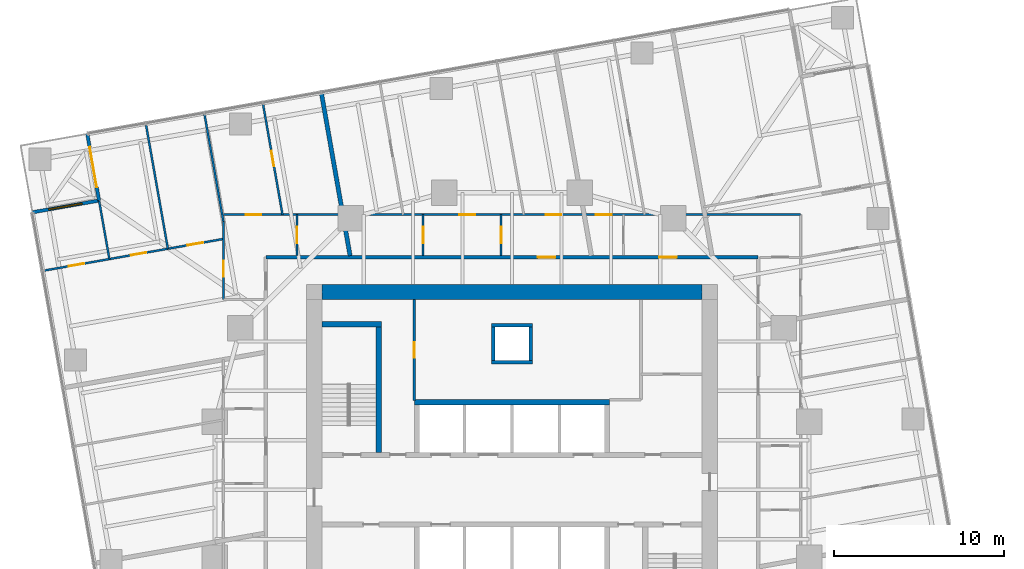
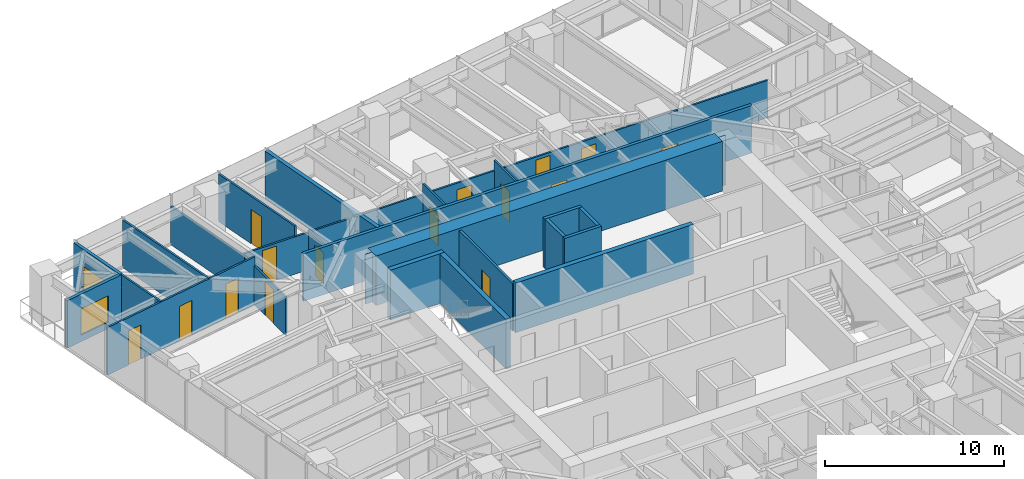
# One storey, part 12 of 14: 23 walls, 16 doors, 1 window, 17 openings.
"""IFC4 building model written with IfcOpenShell, lengths in metres."""

from ifc_helpers import new_model, si_unit, direction, frame, frame_2d, origin, place, context, subcontext, project, spatial, polyline, rectangle, outline, extrude, material, layer, layer_set, type_object, element, fill, save


model = new_model("IFC4")

# Units and contexts
model_context = context("Model", 3, precision=1e-05, world=origin(), true_north=direction((0.0, 1.0)))
body_context = subcontext(model_context, "Body", "Model", "MODEL_VIEW")
ifc_project = project(units=[si_unit("LENGTHUNIT", "METRE"), si_unit("AREAUNIT", "SQUARE_METRE"), si_unit("VOLUMEUNIT", "CUBIC_METRE"), si_unit("PLANEANGLEUNIT", "RADIAN"), si_unit("MASSUNIT", "GRAM", prefix="KILO")], contexts=[model_context])

# Site, building, storey
site_placement = place(None, origin())
site = spatial("IfcSite", under=ifc_project, at=site_placement, CompositionType="ELEMENT")
building_placement = place(site_placement, origin())
building = spatial("IfcBuilding", under=site, at=building_placement, Name="Torsade Residences", CompositionType="ELEMENT")
storey_placement = place(building_placement, frame((0.0, 0.0, 89.60009765625)))
storey = spatial("IfcBuildingStorey", under=building, at=storey_placement, Name="L24", CompositionType="ELEMENT", Elevation=89.60009765625)

# Walls
ifc_material_1 = material(Name="Concrete 80 MPa", Category="concrete")
ifc_layer_1 = layer(ifc_material_1, 0.300048828125)
ifc_layer_set_1 = layer_set([ifc_layer_1], Name="Concrete 80 MPa")
wall_type_1 = type_object("IfcWallType", Name="CORE INTERNAL WALL 300", PredefinedType="SHEAR", material=ifc_layer_set_1)
wall_1_placement = place(storey_placement, frame((34.25, 35.14990234375, 0.0), z_axis=(0.0, 0.0, 1.0), x_axis=(1.0, 0.0, 0.0)))
element("IfcWall", 1, at=wall_1_placement, inside=storey, type_object=wall_type_1, Name="Core wall BN L24", PredefinedType="SHEAR", context=body_context, shape_type="SweptSolid", body=[
    extrude(rectangle(XDim=11.5, YDim=0.300048828125, at=frame_2d((5.75, 0.0))), origin(), (0.0, 0.0, 1.0), 3.39990234375),
])
wall_2_placement = place(storey_placement, frame((32.14990234375, 32.199951171875, 0.0), z_axis=(0.0, 0.0, 1.0), x_axis=(0.0, 1.0, 0.0)))
element("IfcWall", 2, at=wall_2_placement, inside=storey, type_object=wall_type_1, Name="Core wall ST1E L24", PredefinedType="SHEAR", context=body_context, shape_type="SweptSolid", body=[
    extrude(rectangle(XDim=7.699951171875, YDim=0.300048828125, at=frame_2d((3.85009765625, 0.0))), origin(), (0.0, 0.0, 1.0), 3.39990234375),
])
wall_3_placement = place(storey_placement, frame((28.800048828125, 39.75, 0.0), z_axis=(0.0, 0.0, 1.0), x_axis=(1.0, 0.0, 0.0)))
element("IfcWall", 3, at=wall_3_placement, inside=storey, type_object=wall_type_1, Name="Core wall ST1N L24", PredefinedType="SHEAR", context=body_context, shape_type="SweptSolid", body=[
    extrude(rectangle(XDim=3.5, YDim=0.300048828125, at=frame_2d((1.75, 0.0))), origin(), (0.0, 0.0, 1.0), 3.39990234375),
])
ifc_material_2 = material(Name="Concrete 80 MPa", Category="concrete")
ifc_layer_2 = layer(ifc_material_2, 0.89990234375)
ifc_layer_set_2 = layer_set([ifc_layer_2], Name="Concrete 80 MPa")
wall_type_2 = type_object("IfcWallType", Name="CORE WALL 900", PredefinedType="SHEAR", material=ifc_layer_set_2)
wall_4_placement = place(storey_placement, frame((28.800048828125, 41.64990234375, 0.0), z_axis=(0.0, 0.0, 1.0), x_axis=(1.0, 0.0, 0.0)))
element("IfcWall", 4, at=wall_4_placement, inside=storey, type_object=wall_type_2, Name="Core wall N L24", PredefinedType="SHEAR", context=body_context, shape_type="SweptSolid", body=[
    extrude(outline(polyline([(0.0, -0.449951171875), (22.39990234375, -0.449951171875), (22.39990234375, -0.02490234375), (22.849853515625, -0.02490234375), (22.849853515625, 0.02490234375), (22.39990234375, 0.02490234375), (22.39990234375, 0.449951171875), (0.0, 0.449951171875), (0.0, 0.02490234375), (-0.449951171875, 0.02490234375), (-0.449951171875, -0.02490234375), (0.0, -0.02490234375), (0.0, -0.449951171875)])), origin(), (0.0, 0.0, 1.0), 3.39990234375),
])

# Wall, openings, doors
ifc_material_3 = material(Name="Plasterboard on steel stud", Category="steel")
ifc_layer_3 = layer(ifc_material_3, 0.199951171875)
ifc_layer_set_3 = layer_set([ifc_layer_3], Name="Plasterboard on steel stud")
wall_type_3 = type_object("IfcWallType", Name="CORRIDOR WALL 200", PredefinedType="PARTITIONING", material=ifc_layer_set_3)
wall_5_placement = place(storey_placement, frame((54.5, 43.699951171875, 0.0), z_axis=(0.0, 0.0, 1.0), x_axis=(-1.0, 0.0, 0.0)))
wall_5 = element("IfcWall", 5, at=wall_5_placement, inside=storey, type_object=wall_type_3, Name="Corridor wall L24", PredefinedType="PARTITIONING", context=body_context, shape_type="SweptSolid", body=[
    extrude(rectangle(XDim=29.0, YDim=0.199951171875, at=frame_2d((14.5, 0.0))), origin(), (0.0, 0.0, 1.0), 3.25),
])
opening_1_placement = place(wall_5_placement, frame((11.95068359375, 0.0, 0.0)))
opening_1 = element("IfcOpeningElement", 6, at=opening_1_placement, cuts=wall_5, Name="Opening D01", PredefinedType="OPENING", context=body_context, shape_type="SweptSolid", body=[
    extrude(rectangle(XDim=1.02001953125, YDim=2.340087890625, at=frame_2d((0.510009765625, 1.169921875))), frame((0.0, 0.10986328125, 0.0), z_axis=(0.0, -1.0, 0.0), x_axis=(1.0, 0.0, 0.0)), (0.0, 0.0, 1.0), 0.219970703125),
])
opening_2_placement = place(wall_5_placement, frame((4.79541015625, 0.0, 0.0)))
opening_2 = element("IfcOpeningElement", 7, at=opening_2_placement, cuts=wall_5, Name="Opening D01", PredefinedType="OPENING", context=body_context, shape_type="SweptSolid", body=[
    extrude(rectangle(XDim=1.02001953125, YDim=2.340087890625, at=frame_2d((0.510009765625, 1.169921875))), frame((0.0, 0.10986328125, 0.0), z_axis=(0.0, -1.0, 0.0), x_axis=(1.0, 0.0, 0.0)), (0.0, 0.0, 1.0), 0.219970703125),
])
ifc_material_4 = material(Name="Solid-core timber fire door", Category="wood")
door_type_1 = type_object("IfcDoorType", Name="APARTMENT ENTRY DOOR 1020x2340", OperationType="NOTDEFINED", PredefinedType="DOOR", material=ifc_material_4)
door_1_placement = place(opening_1_placement, origin())
door_1 = element("IfcDoor", 8, at=door_1_placement, inside=storey, type_object=door_type_1, Name="Door Residential corridor to Kitchen and dining", OperationType="SINGLE_SWING_LEFT", OverallHeight=2.340087890625, OverallWidth=1.02001953125, PredefinedType="DOOR", context=body_context, shape_type="SweptSolid", body=[
    extrude(rectangle(XDim=1.02001953125, YDim=2.340087890625, at=frame_2d((0.510009765625, 1.169921875))), frame((0.0, 0.02490234375, 0.0), z_axis=(0.0, -1.0, 0.0), x_axis=(1.0, 0.0, 0.0)), (0.0, 0.0, 1.0), 0.050048828125),
])
fill(opening_1, door_1)
door_2_placement = place(opening_2_placement, origin())
door_2 = element("IfcDoor", 9, at=door_2_placement, inside=storey, type_object=door_type_1, Name="Door Residential corridor to Kitchen and dining", OperationType="SINGLE_SWING_RIGHT", OverallHeight=2.340087890625, OverallWidth=1.02001953125, PredefinedType="DOOR", context=body_context, shape_type="SweptSolid", body=[
    extrude(rectangle(XDim=1.02001953125, YDim=2.340087890625, at=frame_2d((0.510009765625, 1.169921875))), frame((0.0, 0.02490234375, 0.0), z_axis=(0.0, -1.0, 0.0), x_axis=(1.0, 0.0, 0.0)), (0.0, 0.0, 1.0), 0.050048828125),
])
fill(opening_2, door_2)

ifc_material_5 = material(Name="Plasterboard on steel stud", Category="steel")
ifc_layer_4 = layer(ifc_material_5, 0.1201171875)
ifc_layer_set_4 = layer_set([ifc_layer_4], Name="Plasterboard on steel stud")
wall_type_4 = type_object("IfcWallType", Name="PARTITION 120", PredefinedType="PARTITIONING", material=ifc_layer_set_4)
wall_6_placement = place(storey_placement, frame((23.0, 46.199951171875, 0.0), z_axis=(0.0, 0.0, 1.0), x_axis=(1.0, 0.0, 0.0)))
wall_6 = element("IfcWall", 10, at=wall_6_placement, inside=storey, type_object=wall_type_4, Name="Partition L24", PredefinedType="PARTITIONING", context=body_context, shape_type="SweptSolid", body=[
    extrude(rectangle(XDim=34.0, YDim=0.1201171875, at=frame_2d((17.0, 0.0))), origin(), (0.0, 0.0, 1.0), 2.5498046875),
])
opening_3_placement = place(wall_6_placement, frame((18.989013671875, 0.0, 0.0)))
opening_3 = element("IfcOpeningElement", 11, at=opening_3_placement, cuts=wall_6, Name="Opening D02", PredefinedType="OPENING", context=body_context, shape_type="SweptSolid", body=[
    extrude(rectangle(XDim=0.919921875, YDim=2.340087890625, at=frame_2d((0.4599609375, 1.169921875))), frame((0.0, 0.070068359375, 0.0), z_axis=(0.0, -1.0, 0.0), x_axis=(1.0, 0.0, 0.0)), (0.0, 0.0, 1.0), 0.14013671875),
])
opening_4_placement = place(wall_6_placement, frame((1.30615234375, 0.0, 0.0)))
opening_4 = element("IfcOpeningElement", 12, at=opening_4_placement, cuts=wall_6, Name="Opening D02", PredefinedType="OPENING", context=body_context, shape_type="SweptSolid", body=[
    extrude(rectangle(XDim=0.919921875, YDim=2.340087890625, at=frame_2d((0.4599609375, 1.169921875))), frame((0.0, 0.070068359375, 0.0), z_axis=(0.0, -1.0, 0.0), x_axis=(1.0, 0.0, 0.0)), (0.0, 0.0, 1.0), 0.14013671875),
])
opening_5_placement = place(wall_6_placement, frame((13.883544921875, 0.0, 0.0)))
opening_5 = element("IfcOpeningElement", 13, at=opening_5_placement, cuts=wall_6, Name="Opening D05", PredefinedType="OPENING", context=body_context, shape_type="SweptSolid", body=[
    extrude(rectangle(XDim=0.9599609375, YDim=2.10009765625, at=frame_2d((0.47998046875, 1.050048828125))), frame((0.0, 0.070068359375, 0.0), z_axis=(0.0, -1.0, 0.0), x_axis=(1.0, 0.0, 0.0)), (0.0, 0.0, 1.0), 0.14013671875),
])
opening_6_placement = place(wall_6_placement, frame((21.929443359375, 0.0, 0.0)))
opening_6 = element("IfcOpeningElement", 14, at=opening_6_placement, cuts=wall_6, Name="Opening D05", PredefinedType="OPENING", context=body_context, shape_type="SweptSolid", body=[
    extrude(rectangle(XDim=0.9599609375, YDim=2.10009765625, at=frame_2d((0.47998046875, 1.050048828125))), frame((0.0, 0.070068359375, 0.0), z_axis=(0.0, -1.0, 0.0), x_axis=(1.0, 0.0, 0.0)), (0.0, 0.0, 1.0), 0.14013671875),
])
ifc_material_6 = material(Name="Hollow-core timber door in a steel cavity frame", Category="steel")
door_type_2 = type_object("IfcDoorType", Name="BATHROOM CAVITY SLIDING DOOR 960", OperationType="SLIDING_TO_LEFT", PredefinedType="DOOR", material=ifc_material_6)
door_3_placement = place(opening_5_placement, origin())
door_3 = element("IfcDoor", 15, at=door_3_placement, inside=storey, type_object=door_type_2, Name="Door Bathroom to Living room", OperationType="SLIDING_TO_LEFT", OverallHeight=2.10009765625, OverallWidth=0.9599609375, PredefinedType="DOOR", context=body_context, shape_type="SweptSolid", body=[
    extrude(rectangle(XDim=0.9599609375, YDim=2.10009765625, at=frame_2d((0.47998046875, 1.050048828125))), frame((0.0, 0.02490234375, 0.0), z_axis=(0.0, -1.0, 0.0), x_axis=(1.0, 0.0, 0.0)), (0.0, 0.0, 1.0), 0.050048828125),
])
fill(opening_5, door_3)
door_4_placement = place(opening_6_placement, origin())
door_4 = element("IfcDoor", 16, at=door_4_placement, inside=storey, type_object=door_type_2, Name="Door Bathroom to Bedroom 1", OperationType="SLIDING_TO_LEFT", OverallHeight=2.10009765625, OverallWidth=0.9599609375, PredefinedType="DOOR", context=body_context, shape_type="SweptSolid", body=[
    extrude(rectangle(XDim=0.9599609375, YDim=2.10009765625, at=frame_2d((0.47998046875, 1.050048828125))), frame((0.0, 0.02490234375, 0.0), z_axis=(0.0, -1.0, 0.0), x_axis=(1.0, 0.0, 0.0)), (0.0, 0.0, 1.0), 0.050048828125),
])
fill(opening_6, door_4)
ifc_material_7 = material(Name="Hollow-core timber door", Category="wood")
door_type_3 = type_object("IfcDoorType", Name="INTERNAL DOOR 920x2340", OperationType="NOTDEFINED", PredefinedType="DOOR", material=ifc_material_7)
door_5_placement = place(opening_3_placement, origin())
door_5 = element("IfcDoor", 17, at=door_5_placement, inside=storey, type_object=door_type_3, Name="Door Kitchen and dining to Bedroom 1", OperationType="SINGLE_SWING_RIGHT", OverallHeight=2.340087890625, OverallWidth=0.919921875, PredefinedType="DOOR", context=body_context, shape_type="SweptSolid", body=[
    extrude(rectangle(XDim=0.919921875, YDim=2.340087890625, at=frame_2d((0.4599609375, 1.169921875))), frame((0.0, 0.02490234375, 0.0), z_axis=(0.0, -1.0, 0.0), x_axis=(1.0, 0.0, 0.0)), (0.0, 0.0, 1.0), 0.050048828125),
])
fill(opening_3, door_5)
door_6_placement = place(opening_4_placement, origin())
door_6 = element("IfcDoor", 18, at=door_6_placement, inside=storey, type_object=door_type_3, Name="Door Kitchen and dining to Family room", OperationType="SINGLE_SWING_RIGHT", OverallHeight=2.340087890625, OverallWidth=0.919921875, PredefinedType="DOOR", context=body_context, shape_type="SweptSolid", body=[
    extrude(rectangle(XDim=0.919921875, YDim=2.340087890625, at=frame_2d((0.4599609375, 1.169921875))), frame((0.0, 0.02490234375, 0.0), z_axis=(0.0, -1.0, 0.0), x_axis=(1.0, 0.0, 0.0)), (0.0, 0.0, 1.0), 0.050048828125),
])
fill(opening_4, door_6)

# Wall, opening, door
wall_7_placement = place(storey_placement, frame((39.36474609375, 43.800048828125, 0.0), z_axis=(0.0, 0.0, 1.0), x_axis=(0.0, 1.0, 0.0)))
wall_7 = element("IfcWall", 19, at=wall_7_placement, inside=storey, type_object=wall_type_4, Name="Partition L24", PredefinedType="PARTITIONING", context=body_context, shape_type="SweptSolid", body=[
    extrude(rectangle(XDim=2.39990234375, YDim=0.1201171875, at=frame_2d((1.199951171875, 0.0))), origin(), (0.0, 0.0, 1.0), 3.25),
])
opening_7_placement = place(wall_7_placement, frame((0.719970703125, 0.0, 0.0)))
opening_7 = element("IfcOpeningElement", 20, at=opening_7_placement, cuts=wall_7, Name="Opening D05", PredefinedType="OPENING", context=body_context, shape_type="SweptSolid", body=[
    extrude(rectangle(XDim=0.9599609375, YDim=2.10009765625, at=frame_2d((0.47998046875, 1.050048828125))), frame((0.0, 0.070068359375, 0.0), z_axis=(0.0, -1.0, 0.0), x_axis=(1.0, 0.0, 0.0)), (0.0, 0.0, 1.0), 0.14013671875),
])
door_7_placement = place(opening_7_placement, origin())
door_7 = element("IfcDoor", 21, at=door_7_placement, inside=storey, type_object=door_type_2, Name="Door Kitchen and dining to Bathroom", OperationType="SLIDING_TO_LEFT", OverallHeight=2.10009765625, OverallWidth=0.9599609375, PredefinedType="DOOR", context=body_context, shape_type="SweptSolid", body=[
    extrude(rectangle(XDim=0.9599609375, YDim=2.10009765625, at=frame_2d((0.47998046875, 1.050048828125))), frame((0.0, 0.02490234375, 0.0), z_axis=(0.0, -1.0, 0.0), x_axis=(1.0, 0.0, 0.0)), (0.0, 0.0, 1.0), 0.050048828125),
])
fill(opening_7, door_7)

wall_8_placement = place(storey_placement, frame((34.7626953125, 43.800048828125, 0.0), z_axis=(0.0, 0.0, 1.0), x_axis=(0.0, 1.0, 0.0)))
wall_8 = element("IfcWall", 22, at=wall_8_placement, inside=storey, type_object=wall_type_4, Name="Partition L24", PredefinedType="PARTITIONING", context=body_context, shape_type="SweptSolid", body=[
    extrude(rectangle(XDim=2.39990234375, YDim=0.1201171875, at=frame_2d((1.199951171875, 0.0))), origin(), (0.0, 0.0, 1.0), 3.25),
])
opening_8_placement = place(wall_8_placement, frame((0.719970703125, 0.0, 0.0)))
opening_8 = element("IfcOpeningElement", 23, at=opening_8_placement, cuts=wall_8, Name="Opening D05", PredefinedType="OPENING", context=body_context, shape_type="SweptSolid", body=[
    extrude(rectangle(XDim=0.9599609375, YDim=2.10009765625, at=frame_2d((0.47998046875, 1.050048828125))), frame((0.0, 0.070068359375, 0.0), z_axis=(0.0, -1.0, 0.0), x_axis=(1.0, 0.0, 0.0)), (0.0, 0.0, 1.0), 0.14013671875),
])
door_8_placement = place(opening_8_placement, origin())
door_8 = element("IfcDoor", 24, at=door_8_placement, inside=storey, type_object=door_type_2, Name="Door Bathroom to Ensuite", OperationType="SLIDING_TO_LEFT", OverallHeight=2.10009765625, OverallWidth=0.9599609375, PredefinedType="DOOR", context=body_context, shape_type="SweptSolid", body=[
    extrude(rectangle(XDim=0.9599609375, YDim=2.10009765625, at=frame_2d((0.47998046875, 1.050048828125))), frame((0.0, 0.02490234375, 0.0), z_axis=(0.0, -1.0, 0.0), x_axis=(1.0, 0.0, 0.0)), (0.0, 0.0, 1.0), 0.050048828125),
])
fill(opening_8, door_8)

wall_9_placement = place(storey_placement, frame((27.334716796875, 46.199951171875, 0.0), z_axis=(0.0, 0.0, 1.0), x_axis=(0.0, -1.0, 0.0)))
wall_9 = element("IfcWall", 25, at=wall_9_placement, inside=storey, type_object=wall_type_4, Name="Partition L24", PredefinedType="PARTITIONING", context=body_context, shape_type="SweptSolid", body=[
    extrude(rectangle(XDim=2.39990234375, YDim=0.1201171875, at=frame_2d((1.199951171875, 0.0))), origin(), (0.0, 0.0, 1.0), 2.721923828125),
])
opening_9_placement = place(wall_9_placement, frame((0.719970703125, 0.0, 0.0)))
opening_9 = element("IfcOpeningElement", 26, at=opening_9_placement, cuts=wall_9, Name="Opening D05", PredefinedType="OPENING", context=body_context, shape_type="SweptSolid", body=[
    extrude(rectangle(XDim=0.9599609375, YDim=2.10009765625, at=frame_2d((0.47998046875, 1.050048828125))), frame((0.0, 0.070068359375, 0.0), z_axis=(0.0, -1.0, 0.0), x_axis=(1.0, 0.0, 0.0)), (0.0, 0.0, 1.0), 0.14013671875),
])
door_9_placement = place(opening_9_placement, origin())
door_9 = element("IfcDoor", 27, at=door_9_placement, inside=storey, type_object=door_type_2, Name="Door Kitchen and dining to Ensuite", OperationType="SLIDING_TO_LEFT", OverallHeight=2.10009765625, OverallWidth=0.9599609375, PredefinedType="DOOR", context=body_context, shape_type="SweptSolid", body=[
    extrude(rectangle(XDim=0.9599609375, YDim=2.10009765625, at=frame_2d((0.47998046875, 1.050048828125))), frame((0.0, 0.02490234375, 0.0), z_axis=(0.0, -1.0, 0.0), x_axis=(1.0, 0.0, 0.0)), (0.0, 0.0, 1.0), 0.050048828125),
])
fill(opening_9, door_9)

wall_10_placement = place(storey_placement, frame((23.0, 41.207763671875, 0.0), z_axis=(0.0, 0.0, 1.0), x_axis=(0.0, 1.0, 0.0)))
wall_10 = element("IfcWall", 28, at=wall_10_placement, inside=storey, type_object=wall_type_4, Name="Partition L24", PredefinedType="PARTITIONING", context=body_context, shape_type="SweptSolid", body=[
    extrude(rectangle(XDim=4.581298828125, YDim=0.1201171875, at=frame_2d((2.29052734375, 0.0))), origin(), (0.0, 0.0, 1.0), 2.637939453125),
])
opening_10_placement = place(wall_10_placement, frame((1.34765625, 0.0, 0.0)))
opening_10 = element("IfcOpeningElement", 29, at=opening_10_placement, cuts=wall_10, Name="Opening D02", PredefinedType="OPENING", context=body_context, shape_type="SweptSolid", body=[
    extrude(rectangle(XDim=0.919921875, YDim=2.340087890625, at=frame_2d((0.4599609375, 1.169921875))), frame((0.0, 0.070068359375, 0.0), z_axis=(0.0, -1.0, 0.0), x_axis=(1.0, 0.0, 0.0)), (0.0, 0.0, 1.0), 0.14013671875),
])
door_10_placement = place(opening_10_placement, origin())
door_10 = element("IfcDoor", 30, at=door_10_placement, inside=storey, type_object=door_type_3, Name="Door Kitchen and dining to Living room", OperationType="SINGLE_SWING_RIGHT", OverallHeight=2.340087890625, OverallWidth=0.919921875, PredefinedType="DOOR", context=body_context, shape_type="SweptSolid", body=[
    extrude(rectangle(XDim=0.919921875, YDim=2.340087890625, at=frame_2d((0.4599609375, 1.169921875))), frame((0.0, 0.02490234375, 0.0), z_axis=(0.0, -1.0, 0.0), x_axis=(1.0, 0.0, 0.0)), (0.0, 0.0, 1.0), 0.050048828125),
])
fill(opening_10, door_10)

# Wall, openings, doors
wall_11_placement = place(storey_placement, frame((12.38037109375, 42.89990234375, 0.0), z_axis=(0.0, 0.0, 1.0), x_axis=(0.984807253583, 0.173651010046, 0.0)))
wall_11 = element("IfcWall", 31, at=wall_11_placement, inside=storey, type_object=wall_type_4, Name="Partition L24", PredefinedType="PARTITIONING", context=body_context, shape_type="SweptSolid", body=[
    extrude(rectangle(XDim=10.783447265625, YDim=0.1201171875, at=frame_2d((5.3916015625, 0.0))), origin(), (0.0, 0.0, 1.0), 3.25),
])
opening_11_placement = place(wall_11_placement, frame((1.525146484375, 0.0, 0.0)))
opening_11 = element("IfcOpeningElement", 32, at=opening_11_placement, cuts=wall_11, Name="Opening D02", PredefinedType="OPENING", context=body_context, shape_type="SweptSolid", body=[
    extrude(rectangle(XDim=0.919921875, YDim=2.340087890625, at=frame_2d((0.4599609375, 1.169921875))), frame((0.0, 0.070068359375, 0.0), z_axis=(0.0, -1.0, 0.0), x_axis=(1.0, 0.0, 0.0)), (0.0, 0.0, 1.0), 0.14013671875),
])
opening_12_placement = place(wall_11_placement, frame((5.25, 0.0, 0.0)))
opening_12 = element("IfcOpeningElement", 33, at=opening_12_placement, cuts=wall_11, Name="Opening D02", PredefinedType="OPENING", context=body_context, shape_type="SweptSolid", body=[
    extrude(rectangle(XDim=0.919921875, YDim=2.340087890625, at=frame_2d((0.4599609375, 1.169921875))), frame((0.0, 0.070068359375, 0.0), z_axis=(0.0, -1.0, 0.0), x_axis=(1.0, 0.0, 0.0)), (0.0, 0.0, 1.0), 0.14013671875),
])
opening_13_placement = place(wall_11_placement, frame((8.63671875, 0.0, 0.0)))
opening_13 = element("IfcOpeningElement", 34, at=opening_13_placement, cuts=wall_11, Name="Opening D02", PredefinedType="OPENING", context=body_context, shape_type="SweptSolid", body=[
    extrude(rectangle(XDim=0.919921875, YDim=2.340087890625, at=frame_2d((0.4599609375, 1.169921875))), frame((0.0, 0.070068359375, 0.0), z_axis=(0.0, -1.0, 0.0), x_axis=(1.0, 0.0, 0.0)), (0.0, 0.0, 1.0), 0.14013671875),
])
door_11_placement = place(opening_11_placement, origin())
door_11 = element("IfcDoor", 35, at=door_11_placement, inside=storey, type_object=door_type_3, Name="Door Living room to Media room", OperationType="SINGLE_SWING_RIGHT", OverallHeight=2.340087890625, OverallWidth=0.919921875, PredefinedType="DOOR", context=body_context, shape_type="SweptSolid", body=[
    extrude(rectangle(XDim=0.919921875, YDim=2.340087890625, at=frame_2d((0.4599609375, 1.169921875))), frame((0.0, 0.02490234375, 0.0), z_axis=(0.0, -1.0, 0.0), x_axis=(1.0, 0.0, 0.0)), (0.0, 0.0, 1.0), 0.050048828125),
])
fill(opening_11, door_11)
door_12_placement = place(opening_12_placement, origin())
door_12 = element("IfcDoor", 36, at=door_12_placement, inside=storey, type_object=door_type_3, Name="Door Living room to Bedroom 1", OperationType="SINGLE_SWING_LEFT", OverallHeight=2.340087890625, OverallWidth=0.919921875, PredefinedType="DOOR", context=body_context, shape_type="SweptSolid", body=[
    extrude(rectangle(XDim=0.919921875, YDim=2.340087890625, at=frame_2d((0.4599609375, 1.169921875))), frame((0.0, 0.02490234375, 0.0), z_axis=(0.0, -1.0, 0.0), x_axis=(1.0, 0.0, 0.0)), (0.0, 0.0, 1.0), 0.050048828125),
])
fill(opening_12, door_12)
door_13_placement = place(opening_13_placement, origin())
door_13 = element("IfcDoor", 37, at=door_13_placement, inside=storey, type_object=door_type_3, Name="Door Living room to Bedroom 2", OperationType="SINGLE_SWING_LEFT", OverallHeight=2.340087890625, OverallWidth=0.919921875, PredefinedType="DOOR", context=body_context, shape_type="SweptSolid", body=[
    extrude(rectangle(XDim=0.919921875, YDim=2.340087890625, at=frame_2d((0.4599609375, 1.169921875))), frame((0.0, 0.02490234375, 0.0), z_axis=(0.0, -1.0, 0.0), x_axis=(1.0, 0.0, 0.0)), (0.0, 0.0, 1.0), 0.050048828125),
])
fill(opening_13, door_13)

# Walls
wall_12_placement = place(storey_placement, frame((18.431640625, 51.5419921875, 0.0), z_axis=(0.0, 0.0, 1.0), x_axis=(0.173647177755, -0.984807929323, 0.0)))
element("IfcWall", 38, at=wall_12_placement, inside=storey, type_object=wall_type_4, Name="Partition L24", PredefinedType="PARTITIONING", context=body_context, shape_type="SweptSolid", body=[
    extrude(rectangle(XDim=7.4599609375, YDim=0.1201171875, at=frame_2d((3.72998046875, 0.0))), origin(), (0.0, 0.0, 1.0), 3.25),
])
wall_13_placement = place(storey_placement, frame((16.2802734375, 43.587646484375, 0.0), z_axis=(0.0, 0.0, 1.0), x_axis=(-0.173660541335, 0.984805572884, 0.0)))
element("IfcWall", 39, at=wall_13_placement, inside=storey, type_object=wall_type_4, Name="Partition L24", PredefinedType="PARTITIONING", context=body_context, shape_type="SweptSolid", body=[
    extrude(rectangle(XDim=3.459716796875, YDim=0.1201171875, at=frame_2d((1.72998046875, 0.0))), origin(), (0.0, 0.0, 1.0), 3.25),
])
wall_14_placement = place(storey_placement, frame((21.87841796875, 52.149658203125, 0.0), z_axis=(0.0, 0.0, 1.0), x_axis=(0.173653792983, -0.984806762864, 0.0)))
element("IfcWall", 40, at=wall_14_placement, inside=storey, type_object=wall_type_4, Name="Partition L24", PredefinedType="PARTITIONING", context=body_context, shape_type="SweptSolid", body=[
    extrude(rectangle(XDim=6.458740234375, YDim=0.1201171875, at=frame_2d((3.2294921875, 0.0))), origin(), (0.0, 0.0, 1.0), 2.637939453125),
])

# Wall, opening, door
wall_15_placement = place(storey_placement, frame((26.4814453125, 46.199951171875, 0.0), z_axis=(0.0, 0.0, 1.0), x_axis=(-0.173643103339, 0.98480864774, 0.0)))
wall_15 = element("IfcWall", 41, at=wall_15_placement, inside=storey, type_object=wall_type_4, Name="Partition L24", PredefinedType="PARTITIONING", context=body_context, shape_type="SweptSolid", body=[
    extrude(rectangle(XDim=6.65869140625, YDim=0.1201171875, at=frame_2d((3.329345703125, 0.0))), origin(), (0.0, 0.0, 1.0), 3.25),
])
opening_14_placement = place(wall_15_placement, frame((2.889404296875, 0.0, 0.0)))
opening_14 = element("IfcOpeningElement", 42, at=opening_14_placement, cuts=wall_15, Name="Opening D02", PredefinedType="OPENING", context=body_context, shape_type="SweptSolid", body=[
    extrude(rectangle(XDim=0.919921875, YDim=2.340087890625, at=frame_2d((0.4599609375, 1.169921875))), frame((0.0, 0.070068359375, 0.0), z_axis=(0.0, -1.0, 0.0), x_axis=(1.0, 0.0, 0.0)), (0.0, 0.0, 1.0), 0.14013671875),
])
door_14_placement = place(opening_14_placement, origin())
door_14 = element("IfcDoor", 43, at=door_14_placement, inside=storey, type_object=door_type_3, Name="Door Family room to Study", OperationType="SINGLE_SWING_LEFT", OverallHeight=2.340087890625, OverallWidth=0.919921875, PredefinedType="DOOR", context=body_context, shape_type="SweptSolid", body=[
    extrude(rectangle(XDim=0.919921875, YDim=2.340087890625, at=frame_2d((0.4599609375, 1.169921875))), frame((0.0, 0.02490234375, 0.0), z_axis=(0.0, -1.0, 0.0), x_axis=(1.0, 0.0, 0.0)), (0.0, 0.0, 1.0), 0.050048828125),
])
fill(opening_14, door_14)

# Walls
ifc_material_8 = material(Name="Masonry-lined stud party wall", Category="masonry")
ifc_layer_5 = layer(ifc_material_8, 0.25)
ifc_layer_set_5 = layer_set([ifc_layer_5], Name="Masonry-lined stud party wall")
wall_type_5 = type_object("IfcWallType", Name="PARTY WALL 250", PredefinedType="PARTITIONING", material=ifc_layer_set_5)
wall_16_placement = place(storey_placement, frame((28.76513671875, 53.404541015625, 0.0), z_axis=(0.0, 0.0, 1.0), x_axis=(0.173658469802, -0.984805938176, 0.0)))
element("IfcWall", 44, at=wall_16_placement, inside=storey, type_object=wall_type_5, Name="Party wall L24", PredefinedType="PARTITIONING", context=body_context, shape_type="SweptSolid", body=[
    extrude(rectangle(XDim=9.770751953125, YDim=0.25, at=frame_2d((4.88525390625, 0.0))), origin(), (0.0, 0.0, 1.0), 3.25),
])
ifc_material_9 = material(Name="Reinforced blockwork", Category="masonry")
ifc_layer_6 = layer(ifc_material_9, 0.199951171875)
ifc_layer_set_6 = layer_set([ifc_layer_6], Name="Reinforced blockwork")
wall_type_6 = type_object("IfcWallType", Name="RISER SHAFT WALL 200", PredefinedType="SOLIDWALL", material=ifc_layer_set_6)
for number, where, z_axis, x_axis, name in (
    (45, (38.89990234375, 37.60009765625, 0.0), (0.0, 0.0, 1.0), (0.0, 1.0, 0.0), "Core wall RS1a L24"),
    (46, (41.10009765625, 37.60009765625, 0.0), (0.0, 0.0, 1.0), (0.0, 1.0, 0.0), "Core wall RS1b L24"),
):
    element("IfcWall", number, at=place(storey_placement, frame(where, z_axis=z_axis, x_axis=x_axis)), inside=storey, type_object=wall_type_6, Name=name, PredefinedType="SOLIDWALL", context=body_context, shape_type="SweptSolid", body=[
        extrude(rectangle(XDim=2.0, YDim=0.199951171875, at=frame_2d((1.0, 0.0))), origin(), (0.0, 0.0, 1.0), 3.39990234375),
    ])
for number, where, z_axis, x_axis, name in (
    (47, (38.800048828125, 37.5, 0.0), (0.0, 0.0, 1.0), (1.0, 0.0, 0.0), "Core wall RS1c L24"),
    (48, (38.800048828125, 39.699951171875, 0.0), (0.0, 0.0, 1.0), (1.0, 0.0, 0.0), "Core wall RS1d L24"),
):
    element("IfcWall", number, at=place(storey_placement, frame(where, z_axis=z_axis, x_axis=x_axis)), inside=storey, type_object=wall_type_6, Name=name, PredefinedType="SOLIDWALL", context=body_context, shape_type="SweptSolid", body=[
        extrude(rectangle(XDim=2.39990234375, YDim=0.199951171875, at=frame_2d((1.199951171875, 0.0))), origin(), (0.0, 0.0, 1.0), 3.39990234375),
    ])

# Wall, opening, door
ifc_material_10 = material(Name="Reinforced blockwork", Category="masonry")
ifc_layer_7 = layer(ifc_material_10, 0.14990234375)
ifc_layer_set_7 = layer_set([ifc_layer_7], Name="Reinforced blockwork")
wall_type_7 = type_object("IfcWallType", Name="SERVICE ROOM WALL 150", PredefinedType="SOLIDWALL", material=ifc_layer_set_7)
wall_17_placement = place(storey_placement, frame((34.25, 41.199951171875, 0.0), z_axis=(0.0, 0.0, 1.0), x_axis=(0.0, -1.0, 0.0)))
wall_17 = element("IfcWall", 49, at=wall_17_placement, inside=storey, type_object=wall_type_7, Name="Service room wall L24", PredefinedType="SOLIDWALL", context=body_context, shape_type="SweptSolid", body=[
    extrude(rectangle(XDim=5.949951171875, YDim=0.14990234375, at=frame_2d((2.97509765625, 0.0))), origin(), (0.0, 0.0, 1.0), 3.25),
])
opening_15_placement = place(wall_17_placement, frame((2.514892578125, 0.0, 0.0)))
opening_15 = element("IfcOpeningElement", 50, at=opening_15_placement, cuts=wall_17, Name="Opening D06", PredefinedType="OPENING", context=body_context, shape_type="SweptSolid", body=[
    extrude(rectangle(XDim=0.919921875, YDim=2.10009765625, at=frame_2d((0.4599609375, 1.050048828125))), frame((0.0, 0.0849609375, 0.0), z_axis=(0.0, -1.0, 0.0), x_axis=(1.0, 0.0, 0.0)), (0.0, 0.0, 1.0), 0.169921875),
])
ifc_material_11 = material(Name="Steel-framed fire door", Category="steel")
door_type_4 = type_object("IfcDoorType", Name="FIRE DOOR 920", OperationType="NOTDEFINED", PredefinedType="DOOR", material=ifc_material_11)
door_15_placement = place(opening_15_placement, origin())
door_15 = element("IfcDoor", 51, at=door_15_placement, inside=storey, type_object=door_type_4, Name="Door Meter store to Electrical riser room", OperationType="SINGLE_SWING_RIGHT", OverallHeight=2.10009765625, OverallWidth=0.919921875, PredefinedType="DOOR", context=body_context, shape_type="SweptSolid", body=[
    extrude(rectangle(XDim=0.919921875, YDim=2.10009765625, at=frame_2d((0.4599609375, 1.050048828125))), frame((0.0, 0.02490234375, 0.0), z_axis=(0.0, -1.0, 0.0), x_axis=(1.0, 0.0, 0.0)), (0.0, 0.0, 1.0), 0.050048828125),
])
fill(opening_15, door_15)

ifc_material_12 = material(Name="Stone-faced precast concrete 40 MPa panel", Category="masonry")
ifc_layer_8 = layer(ifc_material_12, 0.199951171875)
ifc_layer_set_8 = layer_set([ifc_layer_8], Name="Stone-faced precast concrete 40 MPa panel")
wall_type_8 = type_object("IfcWallType", Name="TERRACE WALL 200", PredefinedType="SOLIDWALL", material=ifc_layer_set_8)
wall_18_placement = place(storey_placement, frame((14.977783203125, 50.9736328125, 0.0), z_axis=(0.0, 0.0, 1.0), x_axis=(0.173646056486, -0.984808127031, 0.0)))
wall_18 = element("IfcWall", 52, at=wall_18_placement, inside=storey, type_object=wall_type_8, Name="Terrace wall L24 8", PredefinedType="SOLIDWALL", context=body_context, shape_type="SweptSolid", body=[
    extrude(rectangle(XDim=4.0, YDim=0.199951171875, at=frame_2d((2.0, 0.0))), origin(), (0.0, 0.0, 1.0), 3.25),
])
opening_16_placement = place(wall_18_placement, frame((0.800048828125, 0.0, 0.0)))
opening_16 = element("IfcOpeningElement", 53, at=opening_16_placement, cuts=wall_18, Name="Opening D10A", PredefinedType="OPENING", context=body_context, shape_type="SweptSolid", body=[
    extrude(rectangle(XDim=2.39990234375, YDim=2.10009765625, at=frame_2d((1.199951171875, 1.050048828125))), frame((0.0, 0.10986328125, 0.0), z_axis=(0.0, -1.0, 0.0), x_axis=(1.0, 0.0, 0.0)), (0.0, 0.0, 1.0), 0.219970703125),
])
ifc_material_13 = material(Name="Aluminium-framed glass door", Category="aluminium")
door_type_5 = type_object("IfcDoorType", Name="TERRACE SLIDING DOOR 2400x2100", OperationType="SLIDING_TO_LEFT", PredefinedType="DOOR", material=ifc_material_13)
door_16_placement = place(opening_16_placement, origin())
door_16 = element("IfcDoor", 54, at=door_16_placement, inside=storey, type_object=door_type_5, Name="Terrace door L24 8", OperationType="SLIDING_TO_LEFT", OverallHeight=2.10009765625, OverallWidth=2.39990234375, PredefinedType="DOOR", context=body_context, shape_type="SweptSolid", body=[
    extrude(rectangle(XDim=2.39990234375, YDim=2.10009765625, at=frame_2d((1.199951171875, 1.050048828125))), frame((0.0, 0.02490234375, 0.0), z_axis=(0.0, -1.0, 0.0), x_axis=(1.0, 0.0, 0.0)), (0.0, 0.0, 1.0), 0.050048828125),
])
fill(opening_16, door_16)

# Wall, opening, window
wall_19_placement = place(storey_placement, frame((15.67236328125, 47.034423828125, 0.0), z_axis=(0.0, 0.0, 1.0), x_axis=(-0.984808127031, -0.173646056486, 0.0)))
wall_19 = element("IfcWall", 55, at=wall_19_placement, inside=storey, type_object=wall_type_8, Name="Terrace wall L24 9", PredefinedType="SOLIDWALL", context=body_context, shape_type="SweptSolid", body=[
    extrude(rectangle(XDim=4.0, YDim=0.199951171875, at=frame_2d((2.0, 0.0))), origin(), (0.0, 0.0, 1.0), 3.25),
])
opening_17_placement = place(wall_19_placement, frame((1.0, 0.0, 0.449951171875)))
opening_17 = element("IfcOpeningElement", 56, at=opening_17_placement, cuts=wall_19, Name="Opening W1B", PredefinedType="OPENING", context=body_context, shape_type="SweptSolid", body=[
    extrude(rectangle(XDim=2.0, YDim=1.800048828125, at=frame_2d((1.0, 0.89990234375))), frame((0.0, 0.10986328125, 0.0), z_axis=(0.0, -1.0, 0.0), x_axis=(1.0, 0.0, 0.0)), (0.0, 0.0, 1.0), 0.219970703125),
])
ifc_material_14 = material(Name="Aluminium-framed glass window", Category="aluminium")
window_type = type_object("IfcWindowType", Name="TERRACE WINDOW 2000x1800", PartitioningType="SINGLE_PANEL", PredefinedType="WINDOW", material=ifc_material_14)
window_placement = place(opening_17_placement, origin())
window = element("IfcWindow", 57, at=window_placement, inside=storey, type_object=window_type, Name="Terrace window L24 9", OverallHeight=1.800048828125, OverallWidth=2.0, PartitioningType="SINGLE_PANEL", PredefinedType="WINDOW", context=body_context, shape_type="SweptSolid", body=[
    extrude(rectangle(XDim=2.0, YDim=1.800048828125, at=frame_2d((1.0, 0.89990234375))), frame((0.0, 0.030029296875, 0.0), z_axis=(0.0, -1.0, 0.0), x_axis=(1.0, 0.0, 0.0)), (0.0, 0.0, 1.0), 0.06005859375),
])
fill(opening_17, window)

save(model, "model.ifc")
